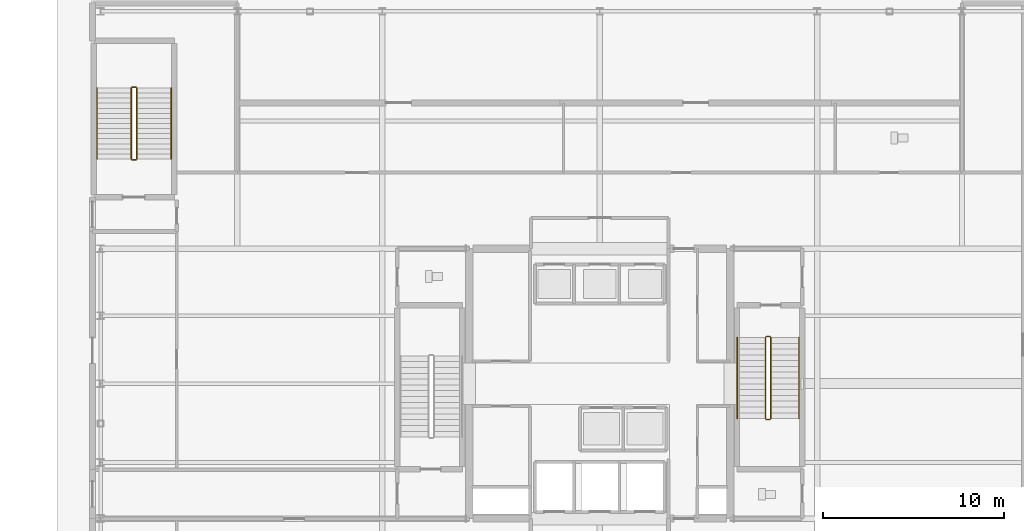
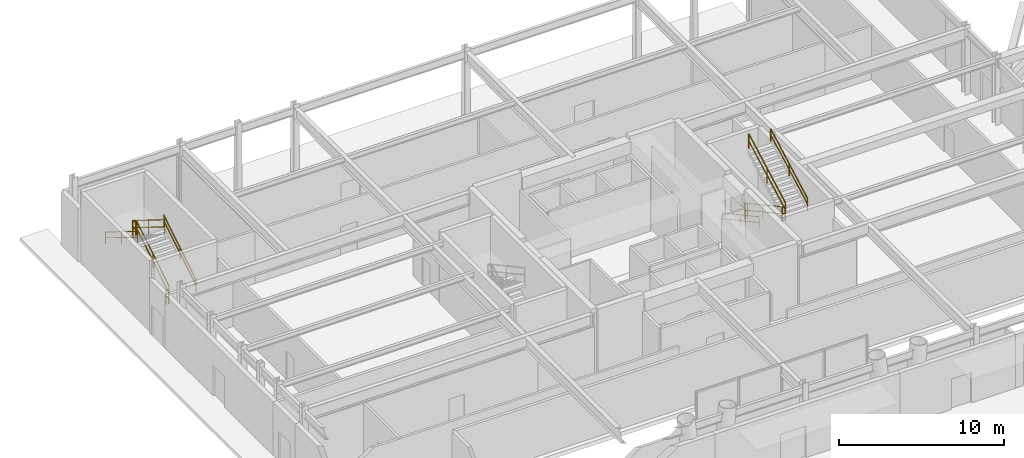
# One storey, part 17 of 19: 12 railings.
"""IFC4 building model written with IfcOpenShell, lengths in metres."""

import ifcopenshell
import ifcopenshell.guid

model = None  # the IFC model being written
_history = None  # IfcOwnerHistory: only IFC2X3 demands one
_inside = {}  # id of a spatial element -> (the spatial element, [elements in it])
_under = {}  # id of a project, library or spatial element -> (it, [spatial elements below it])
_declared = {}  # id of a project -> (the project, [libraries it declares])
_typed = {}  # id of a type object -> (the type object, [elements of that type])
_made_of = {}  # id of a material, layer set ... -> (it, [elements and type objects made of it])


def new_model(schema):
    """Start an empty IFC model of exactly this schema.

    Asked for "IFC4X3", IfcOpenShell would pick the latest addendum, in which some entities
    have other attributes; the version numbers below select the first issue.
    IFC2X3 requires an IfcOwnerHistory on every rooted entity: one is made here for all.
    """
    global model, _history
    if schema == "IFC4X3":
        model = ifcopenshell.file(schema_version=(4, 3, 0, 0))
    else:
        model = ifcopenshell.file(schema=schema)
    _inside.clear()
    _under.clear()
    _declared.clear()
    _typed.clear()
    _made_of.clear()
    _history = None
    if model.schema == "IFC2X3":
        org = make("IfcOrganization", Name="unknown")
        user = make(
            "IfcPersonAndOrganization",
            ThePerson=make("IfcPerson", FamilyName="unknown"),
            TheOrganization=org,
        )
        app = make(
            "IfcApplication",
            ApplicationDeveloper=org,
            Version="unknown",
            ApplicationFullName="unknown",
            ApplicationIdentifier="unknown",
        )
        _history = make(
            "IfcOwnerHistory",
            OwningUser=user,
            OwningApplication=app,
            ChangeAction="ADDED",
            CreationDate=0,
        )
    return model


def make(cls, **values):
    """One entity of the class cls with the attributes given. An attribute that is None is left unset."""
    return model.create_entity(
        cls, **{name: value for name, value in values.items() if value is not None}
    )


def rooted(cls, **values):
    """An entity with a GlobalId (a new one), such as an element, a storey or a relation."""
    return make(cls, GlobalId=ifcopenshell.guid.new(), OwnerHistory=_history, **values)


def si_unit(unit_type, name, prefix=None):
    """IfcSIUnit, for example si_unit("LENGTHUNIT", "METRE", prefix="MILLI")."""
    return make("IfcSIUnit", UnitType=unit_type, Prefix=prefix, Name=name)


def assignment(units):
    """IfcUnitAssignment: the units of a project."""
    return None if units is None else make("IfcUnitAssignment", Units=units)


def point(xyz):
    """IfcCartesianPoint."""
    return None if xyz is None else make("IfcCartesianPoint", Coordinates=xyz)


def direction(xyz):
    """IfcDirection."""
    return None if xyz is None else make("IfcDirection", DirectionRatios=xyz)


def frame(location, z_axis=None, x_axis=None):
    """IfcAxis2Placement3D, a coordinate frame: its origin and axes. An axis left out is left unset."""
    return make(
        "IfcAxis2Placement3D",
        Location=point(location),
        Axis=direction(z_axis),
        RefDirection=direction(x_axis),
    )


def frame_2d(location, x_axis=None):
    """IfcAxis2Placement2D, a coordinate frame in the plane: its origin and x axis."""
    return make(
        "IfcAxis2Placement2D", Location=point(location), RefDirection=direction(x_axis)
    )


def origin():
    """The frame at (0, 0, 0) with its axes left unset."""
    return frame((0.0, 0.0, 0.0))


def origin_2d():
    """The frame at (0, 0) in the plane with its x axis left unset."""
    return frame_2d((0.0, 0.0))


def place(relative_to, where):
    """IfcLocalPlacement: puts the frame where relative to a parent placement (None: the world)."""
    return make(
        "IfcLocalPlacement", PlacementRelTo=relative_to, RelativePlacement=where
    )


def context(
    kind, dimensions, precision=None, world=None, true_north=None, identifier=None
):
    """IfcGeometricRepresentationContext, for example the 3D "Model" context."""
    return make(
        "IfcGeometricRepresentationContext",
        ContextIdentifier=identifier,
        ContextType=kind,
        CoordinateSpaceDimension=dimensions,
        Precision=precision,
        WorldCoordinateSystem=world,
        TrueNorth=true_north,
    )


def subcontext(parent, identifier, kind, view, scale=None):
    """IfcGeometricRepresentationSubContext, for example "Body" below "Model"."""
    return make(
        "IfcGeometricRepresentationSubContext",
        ContextIdentifier=identifier,
        ContextType=kind,
        ParentContext=parent,
        TargetScale=scale,
        TargetView=view,
    )


def project(units=None, contexts=None):
    """IfcProject with its units and contexts."""
    return rooted(
        "IfcProject",
        Name="project",
        RepresentationContexts=contexts,
        UnitsInContext=assignment(units),
    )


def spatial(cls, under=None, at=None, **own):
    """A site, building, storey or space (cls), placed at a placement, below another one or the project."""
    s = rooted(cls, ObjectPlacement=at, **own)
    if under is not None:
        _under.setdefault(under.id(), (under, []))[1].append(s)
    return s


def profile(cls, at=None, kind="AREA", **sizes):
    """A parametric profile (cls). Its sizes go by their IFC names, for example OverallWidth=200.0."""
    return make(cls, ProfileType=kind, Position=at, **sizes)


def circle(**sizes):
    """IfcCircleProfileDef."""
    return profile("IfcCircleProfileDef", **sizes)


def extrude(swept, where, along, depth):
    """IfcExtrudedAreaSolid: the profile swept, set in the frame where, extruded along a direction by depth."""
    return make(
        "IfcExtrudedAreaSolid",
        SweptArea=swept,
        Position=where,
        ExtrudedDirection=direction(along),
        Depth=depth,
    )


def shape(context_of_items, identifier, shape_type, items):
    """IfcShapeRepresentation: the items that make up one representation, for example the "Body"."""
    return make(
        "IfcShapeRepresentation",
        ContextOfItems=context_of_items,
        RepresentationIdentifier=identifier,
        RepresentationType=shape_type,
        Items=items,
    )


def material(Name=None, Category=None):
    """IfcMaterial."""
    return make("IfcMaterial", Name=Name, Category=Category)


def made_of(thing, what):
    """Note that an element or type object is made of a material, layer set ...; save() writes the relation."""
    if what is not None:
        _made_of.setdefault(what.id(), (what, []))[1].append(thing)
    return thing


def type_object(cls, material=None, **own):
    """A type object (cls), such as IfcWallType, which elements share."""
    return made_of(rooted(cls, **own), material)


def element(
    cls,
    number,
    at=None,
    inside=None,
    cuts=None,
    type_object=None,
    material=None,
    context=None,
    identifier="Body",
    shape_type=None,
    held_by="IfcProductDefinitionShape",
    body=None,
    shapes=None,
    **own,
):
    """One element of the class cls, such as IfcWall. Its Tag is "e" and its number.

    at: its placement. inside: the storey or other place that contains it. cuts: it is an
    opening in that element (IfcRelVoidsElement). A single representation is given by context,
    identifier, shape_type and body (its items); several are given by shapes. held_by: the class
    of the entity that holds the representations. save() writes the other relations.
    """
    e = rooted(cls, Tag="e%d" % number, ObjectPlacement=at, **own)
    if body is not None:
        shapes = [shape(context, identifier, shape_type, body)]
    if shapes is not None:
        e.Representation = make(held_by, Representations=shapes)
    if inside is not None:
        _inside.setdefault(inside.id(), (inside, []))[1].append(e)
    if cuts is not None:
        rooted(
            "IfcRelVoidsElement", RelatingBuildingElement=cuts, RelatedOpeningElement=e
        )
    if type_object is not None:
        _typed.setdefault(type_object.id(), (type_object, []))[1].append(e)
    return made_of(e, material)


def aggregate(whole, parts):
    """IfcRelAggregates: a whole, such as a stair, and the parts it consists of."""
    return rooted("IfcRelAggregates", RelatingObject=whole, RelatedObjects=parts)


def save(model, path):
    """Write the relations noted so far, then the file.

    IfcRelAggregates (storeys below a building ...), IfcRelContainedInSpatialStructure (elements
    in a storey), IfcRelDefinesByType, IfcRelAssociatesMaterial and IfcRelDeclares: one each for
    every whole, place, type object, material and project.
    """
    for whole, parts in _under.values():
        aggregate(whole, parts)
    for where, things in _inside.values():
        rooted(
            "IfcRelContainedInSpatialStructure",
            RelatedElements=things,
            RelatingStructure=where,
        )
    for kind, things in _typed.values():
        rooted("IfcRelDefinesByType", RelatedObjects=things, RelatingType=kind)
    for what, things in _made_of.values():
        rooted("IfcRelAssociatesMaterial", RelatedObjects=things, RelatingMaterial=what)
    for by, libraries in _declared.values():
        rooted("IfcRelDeclares", RelatingContext=by, RelatedDefinitions=libraries)
    model.write(path)


model = new_model("IFC4")

# Units and contexts
model_context = context("Model", 3, precision=1e-05, world=origin(), true_north=direction((0.0, 1.0)))
body_context = subcontext(model_context, "Body", "Model", "MODEL_VIEW")
ifc_project = project(units=[si_unit("LENGTHUNIT", "METRE"), si_unit("AREAUNIT", "SQUARE_METRE"), si_unit("VOLUMEUNIT", "CUBIC_METRE"), si_unit("PLANEANGLEUNIT", "RADIAN"), si_unit("MASSUNIT", "GRAM", prefix="KILO")], contexts=[model_context])

# Site, building, storey
site_placement = place(None, origin())
site = spatial("IfcSite", under=ifc_project, at=site_placement, CompositionType="ELEMENT")
building_placement = place(site_placement, origin())
building = spatial("IfcBuilding", under=site, at=building_placement, Name="Veldorina Hangang Commons", CompositionType="ELEMENT")
storey_placement = place(building_placement, origin())
storey = spatial("IfcBuildingStorey", under=building, at=storey_placement, Name="L00", CompositionType="ELEMENT", Elevation=0.0)

# Railings
ifc_material_1 = material(Name="Steel Painted Balustrade", Category="steel")
railing_type_1 = type_object("IfcRailingType", Name="RL-GRD-STAIR", PredefinedType="GUARDRAIL", material=ifc_material_1)
railing_1_placement = place(storey_placement, frame((41.14990234375, 26.550048828125, 0.17333984375)))
element("IfcRailing", 1, at=railing_1_placement, inside=storey, type_object=railing_type_1, Name="L00 ST-2 stair guard 1", PredefinedType="GUARDRAIL", context=body_context, shape_type="SweptSolid", body=[
    extrude(circle(Radius=0.02392578125, at=origin_2d()), frame((0.0, 0.0, 1.076171875), z_axis=(0.0, -0.879283604982, 0.476298584933), x_axis=(1.0, 0.0, 0.0)), (0.0, 0.0, 1.0), 5.094970703125),
    extrude(circle(Radius=0.02392578125, at=origin_2d()), frame((0.0, 0.0, 0.550048828125), z_axis=(0.0, -0.879283604982, 0.476298584933), x_axis=(1.0, 0.0, 0.0)), (0.0, 0.0, 1.0), 5.094970703125),
    extrude(circle(Radius=0.02099609375, at=origin_2d()), origin(), (0.0, 0.0, 1.0), 1.052001953125),
    extrude(circle(Radius=0.02099609375, at=origin_2d()), frame((0.0, -2.239990234375, 1.21337890625)), (0.0, 0.0, 1.0), 1.052001953125),
    extrude(circle(Radius=0.02099609375, at=origin_2d()), frame((0.0, -4.47998046875, 2.4267578125)), (0.0, 0.0, 1.0), 1.052001953125),
])
railing_2_placement = place(storey_placement, frame((41.199951171875, 22.02001953125, 2.60009765625)))
element("IfcRailing", 2, at=railing_2_placement, inside=storey, type_object=railing_type_1, Name="L00 ST-2 stair guard 2", PredefinedType="GUARDRAIL", context=body_context, shape_type="SweptSolid", body=[
    extrude(circle(Radius=0.02392578125, at=origin_2d()), frame((0.0, 0.0, 1.076171875), z_axis=(1.0, 0.0, 0.0), x_axis=(0.0, 1.0, 0.0)), (0.0, 0.0, 1.0), 0.199951171875),
    extrude(circle(Radius=0.02392578125, at=origin_2d()), frame((0.0, 0.0, 0.550048828125), z_axis=(1.0, 0.0, 0.0), x_axis=(0.0, 1.0, 0.0)), (0.0, 0.0, 1.0), 0.199951171875),
    extrude(circle(Radius=0.02099609375, at=origin_2d()), origin(), (0.0, 0.0, 1.0), 1.052001953125),
    extrude(circle(Radius=0.02099609375, at=origin_2d()), frame((0.199951171875, 0.0, 0.0)), (0.0, 0.0, 1.0), 1.052001953125),
])
railing_3_placement = place(storey_placement, frame((41.449951171875, 22.070068359375, 2.7734375)))
element("IfcRailing", 3, at=railing_3_placement, inside=storey, type_object=railing_type_1, Name="L00 ST-2 stair guard 3", PredefinedType="GUARDRAIL", context=body_context, shape_type="SweptSolid", body=[
    extrude(circle(Radius=0.02392578125, at=origin_2d()), frame((0.0, 0.0, 1.076171875), z_axis=(0.0, 0.879303672525, 0.476261536852), x_axis=(-1.0, 0.0, 0.0)), (0.0, 0.0, 1.0), 5.094970703125),
    extrude(circle(Radius=0.02392578125, at=origin_2d()), frame((0.0, 0.0, 0.550048828125), z_axis=(0.0, 0.879303672525, 0.476261536852), x_axis=(-1.0, 0.0, 0.0)), (0.0, 0.0, 1.0), 5.094970703125),
    extrude(circle(Radius=0.02099609375, at=origin_2d()), origin(), (0.0, 0.0, 1.0), 1.052001953125),
    extrude(circle(Radius=0.02099609375, at=origin_2d()), frame((0.0, 2.239990234375, 1.21337890625)), (0.0, 0.0, 1.0), 1.052001953125),
    extrude(circle(Radius=0.02099609375, at=origin_2d()), frame((0.0, 4.47998046875, 2.426513671875)), (0.0, 0.0, 1.0), 1.052001953125),
])
railing_4_placement = place(storey_placement, frame((41.199951171875, 26.60009765625, 0.0)))
element("IfcRailing", 4, at=railing_4_placement, inside=storey, type_object=railing_type_1, Name="L00 ST-2 stair guard 4", PredefinedType="GUARDRAIL", context=body_context, shape_type="SweptSolid", body=[
    extrude(circle(Radius=0.02392578125, at=origin_2d()), frame((0.0, 0.0, 1.076171875), z_axis=(1.0, 0.0, 0.0), x_axis=(0.0, 1.0, 0.0)), (0.0, 0.0, 1.0), 0.199951171875),
    extrude(circle(Radius=0.02392578125, at=origin_2d()), frame((0.0, 0.0, 0.550048828125), z_axis=(1.0, 0.0, 0.0), x_axis=(0.0, 1.0, 0.0)), (0.0, 0.0, 1.0), 0.199951171875),
    extrude(circle(Radius=0.02099609375, at=origin_2d()), origin(), (0.0, 0.0, 1.0), 1.052001953125),
    extrude(circle(Radius=0.02099609375, at=origin_2d()), frame((0.199951171875, 0.0, 0.0)), (0.0, 0.0, 1.0), 1.052001953125),
])
railing_5_placement = place(storey_placement, frame((6.449951171875, 36.39990234375, 0.17333984375)))
element("IfcRailing", 5, at=railing_5_placement, inside=storey, type_object=railing_type_1, Name="L00 ST-P1 stair guard 1", PredefinedType="GUARDRAIL", context=body_context, shape_type="SweptSolid", body=[
    extrude(circle(Radius=0.02392578125, at=origin_2d()), frame((0.0, 0.0, 1.076171875), z_axis=(0.0, 0.850266275192, 0.526352791643), x_axis=(-1.0, 0.0, 0.0)), (0.0, 0.0, 1.0), 4.610595703125),
    extrude(circle(Radius=0.02392578125, at=origin_2d()), frame((0.0, 0.0, 0.550048828125), z_axis=(0.0, 0.850266275192, 0.526352791643), x_axis=(-1.0, 0.0, 0.0)), (0.0, 0.0, 1.0), 4.610595703125),
    extrude(circle(Radius=0.02099609375, at=origin_2d()), origin(), (0.0, 0.0, 1.0), 1.052001953125),
    extrude(circle(Radius=0.02099609375, at=origin_2d()), frame((0.0, 1.9599609375, 1.21337890625)), (0.0, 0.0, 1.0), 1.052001953125),
    extrude(circle(Radius=0.02099609375, at=origin_2d()), frame((0.0, 3.920166015625, 2.4267578125)), (0.0, 0.0, 1.0), 1.052001953125),
])
railing_6_placement = place(storey_placement, frame((6.39990234375, 40.3701171875, 2.60009765625)))
element("IfcRailing", 6, at=railing_6_placement, inside=storey, type_object=railing_type_1, Name="L00 ST-P1 stair guard 2", PredefinedType="GUARDRAIL", context=body_context, shape_type="SweptSolid", body=[
    extrude(circle(Radius=0.02392578125, at=origin_2d()), frame((0.0, 0.0, 1.076171875), z_axis=(-1.0, 0.0, 0.0), x_axis=(0.0, -1.0, 0.0)), (0.0, 0.0, 1.0), 0.199951171875),
    extrude(circle(Radius=0.02392578125, at=origin_2d()), frame((0.0, 0.0, 0.550048828125), z_axis=(-1.0, 0.0, 0.0), x_axis=(0.0, -1.0, 0.0)), (0.0, 0.0, 1.0), 0.199951171875),
    extrude(circle(Radius=0.02099609375, at=origin_2d()), origin(), (0.0, 0.0, 1.0), 1.052001953125),
    extrude(circle(Radius=0.02099609375, at=origin_2d()), frame((-0.199951171875, 0.0, 0.0)), (0.0, 0.0, 1.0), 1.052001953125),
])
railing_7_placement = place(storey_placement, frame((6.14990234375, 40.320068359375, 2.7734375)))
element("IfcRailing", 7, at=railing_7_placement, inside=storey, type_object=railing_type_1, Name="L00 ST-P1 stair guard 3", PredefinedType="GUARDRAIL", context=body_context, shape_type="SweptSolid", body=[
    extrude(circle(Radius=0.02392578125, at=origin_2d()), frame((0.0, 0.0, 1.076171875), z_axis=(0.0, -0.850289973577, 0.526314507528), x_axis=(1.0, 0.0, 0.0)), (0.0, 0.0, 1.0), 4.6103515625),
    extrude(circle(Radius=0.02392578125, at=origin_2d()), frame((0.0, 0.0, 0.550048828125), z_axis=(0.0, -0.850289973577, 0.526314507528), x_axis=(1.0, 0.0, 0.0)), (0.0, 0.0, 1.0), 4.6103515625),
    extrude(circle(Radius=0.02099609375, at=origin_2d()), origin(), (0.0, 0.0, 1.0), 1.052001953125),
    extrude(circle(Radius=0.02099609375, at=origin_2d()), frame((0.0, -1.9599609375, 1.21337890625)), (0.0, 0.0, 1.0), 1.052001953125),
    extrude(circle(Radius=0.02099609375, at=origin_2d()), frame((0.0, -3.920166015625, 2.426513671875)), (0.0, 0.0, 1.0), 1.052001953125),
])
railing_8_placement = place(storey_placement, frame((6.39990234375, 36.35009765625, 0.0)))
element("IfcRailing", 8, at=railing_8_placement, inside=storey, type_object=railing_type_1, Name="L00 ST-P1 stair guard 4", PredefinedType="GUARDRAIL", context=body_context, shape_type="SweptSolid", body=[
    extrude(circle(Radius=0.02392578125, at=origin_2d()), frame((0.0, 0.0, 1.076171875), z_axis=(-1.0, 0.0, 0.0), x_axis=(0.0, -1.0, 0.0)), (0.0, 0.0, 1.0), 0.199951171875),
    extrude(circle(Radius=0.02392578125, at=origin_2d()), frame((0.0, 0.0, 0.550048828125), z_axis=(-1.0, 0.0, 0.0), x_axis=(0.0, -1.0, 0.0)), (0.0, 0.0, 1.0), 0.199951171875),
    extrude(circle(Radius=0.02099609375, at=origin_2d()), origin(), (0.0, 0.0, 1.0), 1.052001953125),
    extrude(circle(Radius=0.02099609375, at=origin_2d()), frame((-0.199951171875, 0.0, 0.0)), (0.0, 0.0, 1.0), 1.052001953125),
])
ifc_material_2 = material(Name="Stainless Steel Brushed 316", Category="steel")
railing_type_2 = type_object("IfcRailingType", Name="RL-HND-STAIR", PredefinedType="HANDRAIL", material=ifc_material_2)
railing_9_placement = place(storey_placement, frame((39.60009765625, 26.550048828125, 0.17333984375)))
element("IfcRailing", 9, at=railing_9_placement, inside=storey, type_object=railing_type_2, Name="L00 ST-2 stair handrail 1", PredefinedType="HANDRAIL", context=body_context, shape_type="SweptSolid", body=[
    extrude(circle(Radius=0.02392578125, at=origin_2d()), frame((0.0, 0.0, 0.8759765625), z_axis=(0.0, -0.879283604982, 0.476298584933), x_axis=(1.0, 0.0, 0.0)), (0.0, 0.0, 1.0), 5.094970703125),
    extrude(circle(Radius=0.02392578125, at=origin_2d()), frame((0.0, 0.0, 0.449951171875), z_axis=(0.0, -0.879283604982, 0.476298584933), x_axis=(1.0, 0.0, 0.0)), (0.0, 0.0, 1.0), 5.094970703125),
    extrude(circle(Radius=0.02099609375, at=origin_2d()), origin(), (0.0, 0.0, 1.0), 0.851806640625),
    extrude(circle(Radius=0.02099609375, at=origin_2d()), frame((0.0, -2.239990234375, 1.21337890625)), (0.0, 0.0, 1.0), 0.851806640625),
    extrude(circle(Radius=0.02099609375, at=origin_2d()), frame((0.0, -4.47998046875, 2.4267578125)), (0.0, 0.0, 1.0), 0.851806640625),
])
railing_10_placement = place(storey_placement, frame((43.0, 22.070068359375, 2.7734375)))
element("IfcRailing", 10, at=railing_10_placement, inside=storey, type_object=railing_type_2, Name="L00 ST-2 stair handrail 2", PredefinedType="HANDRAIL", context=body_context, shape_type="SweptSolid", body=[
    extrude(circle(Radius=0.02392578125, at=origin_2d()), frame((0.0, 0.0, 0.8759765625), z_axis=(0.0, 0.879303672525, 0.476261536852), x_axis=(-1.0, 0.0, 0.0)), (0.0, 0.0, 1.0), 5.094970703125),
    extrude(circle(Radius=0.02392578125, at=origin_2d()), frame((0.0, 0.0, 0.449951171875), z_axis=(0.0, 0.879303672525, 0.476261536852), x_axis=(-1.0, 0.0, 0.0)), (0.0, 0.0, 1.0), 5.094970703125),
    extrude(circle(Radius=0.02099609375, at=origin_2d()), origin(), (0.0, 0.0, 1.0), 0.851806640625),
    extrude(circle(Radius=0.02099609375, at=origin_2d()), frame((0.0, 2.239990234375, 1.21337890625)), (0.0, 0.0, 1.0), 0.851806640625),
    extrude(circle(Radius=0.02099609375, at=origin_2d()), frame((0.0, 4.47998046875, 2.426513671875)), (0.0, 0.0, 1.0), 0.851806640625),
])
railing_11_placement = place(storey_placement, frame((8.35009765625, 36.39990234375, 0.17333984375)))
element("IfcRailing", 11, at=railing_11_placement, inside=storey, type_object=railing_type_2, Name="L00 ST-P1 stair handrail 1", PredefinedType="HANDRAIL", context=body_context, shape_type="SweptSolid", body=[
    extrude(circle(Radius=0.02392578125, at=origin_2d()), frame((0.0, 0.0, 0.8759765625), z_axis=(0.0, 0.850266275192, 0.526352791643), x_axis=(-1.0, 0.0, 0.0)), (0.0, 0.0, 1.0), 4.610595703125),
    extrude(circle(Radius=0.02392578125, at=origin_2d()), frame((0.0, 0.0, 0.449951171875), z_axis=(0.0, 0.850266275192, 0.526352791643), x_axis=(-1.0, 0.0, 0.0)), (0.0, 0.0, 1.0), 4.610595703125),
    extrude(circle(Radius=0.02099609375, at=origin_2d()), origin(), (0.0, 0.0, 1.0), 0.851806640625),
    extrude(circle(Radius=0.02099609375, at=origin_2d()), frame((0.0, 1.9599609375, 1.21337890625)), (0.0, 0.0, 1.0), 0.851806640625),
    extrude(circle(Radius=0.02099609375, at=origin_2d()), frame((0.0, 3.920166015625, 2.4267578125)), (0.0, 0.0, 1.0), 0.851806640625),
])
railing_12_placement = place(storey_placement, frame((4.25, 40.320068359375, 2.7734375)))
element("IfcRailing", 12, at=railing_12_placement, inside=storey, type_object=railing_type_2, Name="L00 ST-P1 stair handrail 2", PredefinedType="HANDRAIL", context=body_context, shape_type="SweptSolid", body=[
    extrude(circle(Radius=0.02392578125, at=origin_2d()), frame((0.0, 0.0, 0.8759765625), z_axis=(0.0, -0.850289973577, 0.526314507528), x_axis=(1.0, 0.0, 0.0)), (0.0, 0.0, 1.0), 4.6103515625),
    extrude(circle(Radius=0.02392578125, at=origin_2d()), frame((0.0, 0.0, 0.449951171875), z_axis=(0.0, -0.850289973577, 0.526314507528), x_axis=(1.0, 0.0, 0.0)), (0.0, 0.0, 1.0), 4.6103515625),
    extrude(circle(Radius=0.02099609375, at=origin_2d()), origin(), (0.0, 0.0, 1.0), 0.851806640625),
    extrude(circle(Radius=0.02099609375, at=origin_2d()), frame((0.0, -1.9599609375, 1.21337890625)), (0.0, 0.0, 1.0), 0.851806640625),
    extrude(circle(Radius=0.02099609375, at=origin_2d()), frame((0.0, -3.920166015625, 2.426513671875)), (0.0, 0.0, 1.0), 0.851806640625),
])

save(model, "model.ifc")
